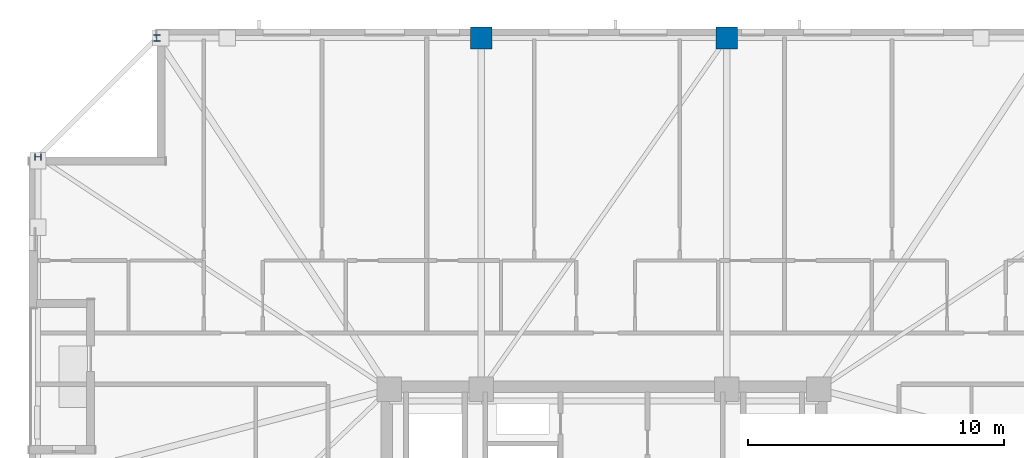
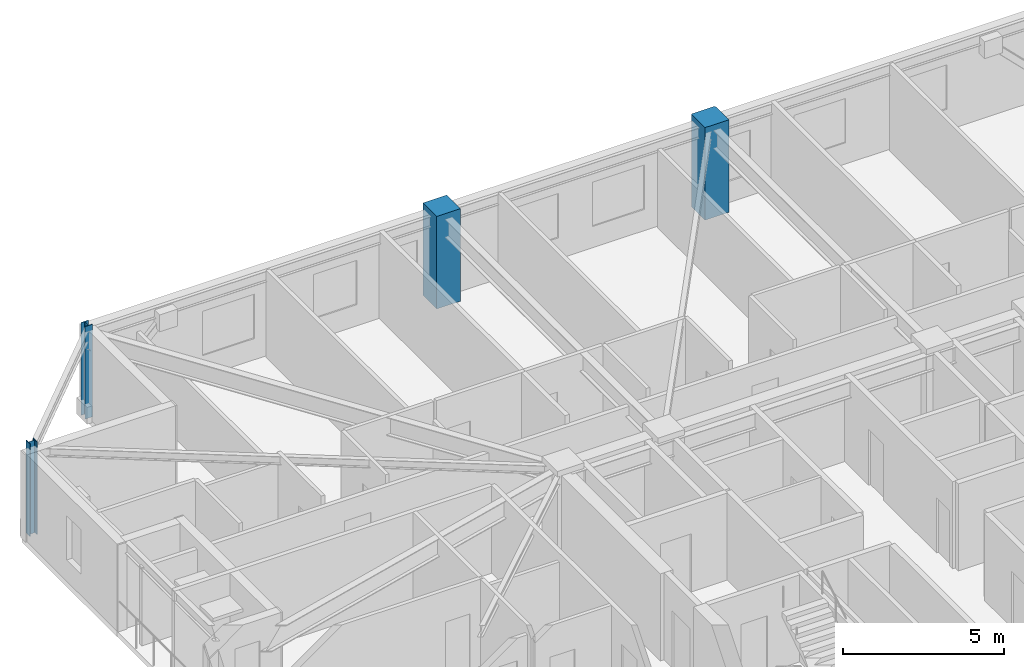
# One storey, part 4 of 17: 4 columns.
"""IFC4 building model written with IfcOpenShell, lengths in metres."""

from ifc_helpers import new_model, si_unit, direction, frame, origin, origin_2d, place, context, subcontext, project, spatial, rectangle, i_section, extrude, material, material_profile, profile_set, type_object, element, save


model = new_model("IFC4")

# Units and contexts
model_context = context("Model", 3, precision=1e-05, world=origin(), true_north=direction((0.0, 1.0)))
body_context = subcontext(model_context, "Body", "Model", "MODEL_VIEW")
ifc_project = project(units=[si_unit("LENGTHUNIT", "METRE"), si_unit("AREAUNIT", "SQUARE_METRE"), si_unit("VOLUMEUNIT", "CUBIC_METRE"), si_unit("PLANEANGLEUNIT", "RADIAN"), si_unit("MASSUNIT", "GRAM", prefix="KILO")], contexts=[model_context])

# Site, building, storey
site_placement = place(None, origin())
site = spatial("IfcSite", under=ifc_project, at=site_placement, CompositionType="ELEMENT")
building_placement = place(site_placement, origin())
building = spatial("IfcBuilding", under=site, at=building_placement, Name="Cairnveth Concourse Tower", CompositionType="ELEMENT")
storey_placement = place(building_placement, frame((0.0, 0.0, 230.5)))
storey = spatial("IfcBuildingStorey", under=building, at=storey_placement, Name="L63", CompositionType="ELEMENT", Elevation=230.5)

# Columns
ifc_material_1 = material(Name="Concrete N65 (65 MPa)", Category="concrete")
ifc_material_profile_1 = material_profile(ifc_material_1, rectangle(XDim=0.85009765625, YDim=0.85009765625, at=origin_2d()), Name="RC-COL-850x850")
ifc_profile_set_1 = profile_set([ifc_material_profile_1], Name="Concrete N65 (65 MPa)")
column_type_1 = type_object("IfcColumnType", Name="PERIMETER PIER COLUMN 850X850", PredefinedType="COLUMN", material=ifc_profile_set_1)
for number, where, z_axis, x_axis, name in (
    (1, (56.800048828125, 61.14990234375, 0.0), (0.0, 0.0, 1.0), (1.0, 0.0, 0.0), "Column P-N2 L63"),
    (2, (47.199951171875, 61.14990234375, 0.0), (0.0, 0.0, 1.0), (1.0, 0.0, 0.0), "Column P-N3 L63"),
):
    element("IfcColumn", number, at=place(storey_placement, frame(where, z_axis=z_axis, x_axis=x_axis)), inside=storey, type_object=column_type_1, Name=name, PredefinedType="COLUMN", context=body_context, shape_type="SweptSolid", body=[
        extrude(rectangle(XDim=0.85009765625, YDim=0.85009765625, at=origin_2d()), origin(), (0.0, 0.0, 1.0), 3.5),
    ])
ifc_material_2 = material(Name="Steel Grade 350", Category="steel")
ifc_material_profile_2 = material_profile(ifc_material_2, i_section(OverallWidth=0.256103515625, OverallDepth=0.260009765625, WebThickness=0.010498046875, FlangeThickness=0.017333984375, FilletRadius=0.012939453125, at=origin_2d()), Name="250UC89.5")
ifc_profile_set_2 = profile_set([ifc_material_profile_2], Name="Steel Grade 350")
column_type_2 = type_object("IfcColumnType", Name="UNIVERSAL STEEL COLUMN 250UC89.5", PredefinedType="COLUMN", material=ifc_profile_set_2)
for number, where, z_axis, x_axis, name in (
    (3, (34.5, 61.14990234375, 0.0), (0.0, 0.0, 1.0), (1.0, 0.0, 0.0), "Column P-N4 L63"),
    (4, (29.85009765625, 56.5, 0.0), (0.0, 0.0, 1.0), (0.0, 1.0, 0.0), "Column P-W1 L63"),
):
    element("IfcColumn", number, at=place(storey_placement, frame(where, z_axis=z_axis, x_axis=x_axis)), inside=storey, type_object=column_type_2, Name=name, PredefinedType="COLUMN", context=body_context, shape_type="SweptSolid", body=[
        extrude(i_section(OverallWidth=0.256103515625, OverallDepth=0.260009765625, WebThickness=0.010498046875, FlangeThickness=0.017333984375, FilletRadius=0.012939453125, at=origin_2d()), origin(), (0.0, 0.0, 1.0), 3.5),
    ])

save(model, "model.ifc")
